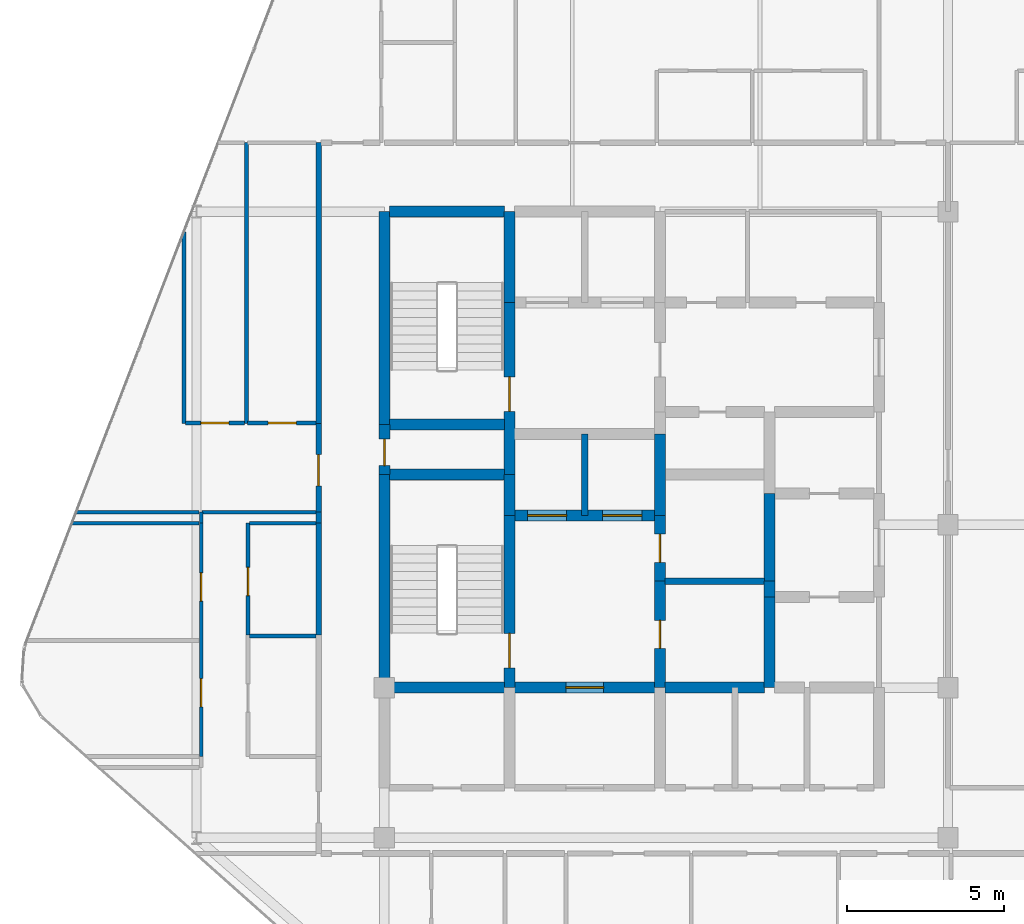
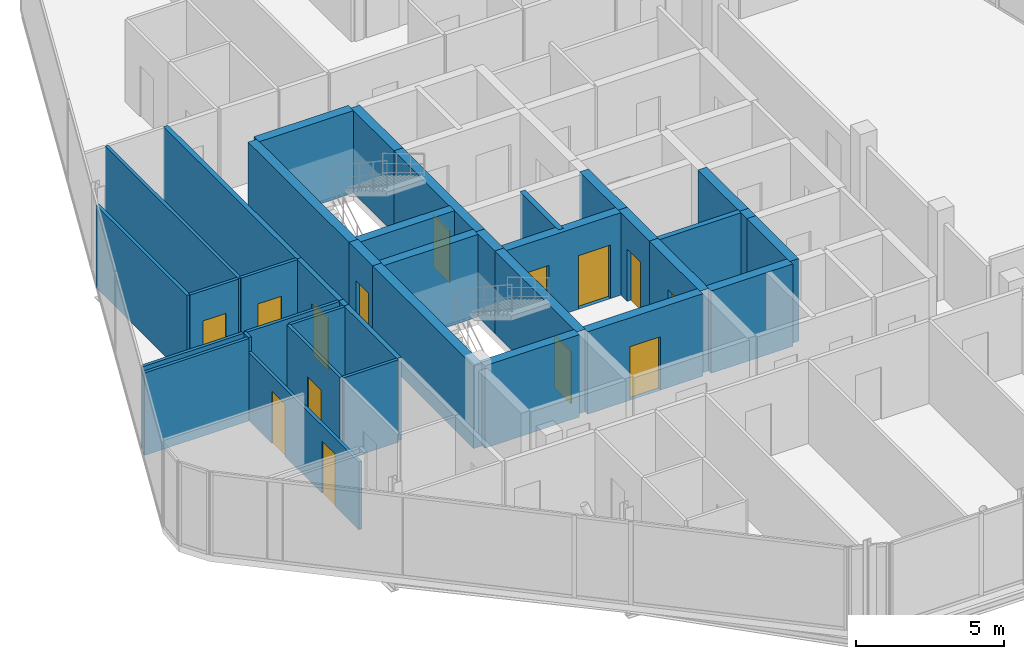
# One storey, part 23 of 27: 38 walls, 14 doors, 14 openings.
"""IFC4 building model written with IfcOpenShell, lengths in metres."""

from ifc_helpers import new_model, si_unit, direction, frame, frame_2d, origin, place, context, subcontext, project, spatial, rectangle, extrude, material, layer, layer_set, type_object, element, fill, save


model = new_model("IFC4")

# Units and contexts
model_context = context("Model", 3, precision=1e-05, world=origin(), true_north=direction((0.0, 1.0)))
body_context = subcontext(model_context, "Body", "Model", "MODEL_VIEW")
ifc_project = project(units=[si_unit("LENGTHUNIT", "METRE"), si_unit("AREAUNIT", "SQUARE_METRE"), si_unit("VOLUMEUNIT", "CUBIC_METRE"), si_unit("PLANEANGLEUNIT", "RADIAN"), si_unit("MASSUNIT", "GRAM", prefix="KILO")], contexts=[model_context])

# Site, building, storey
site_placement = place(None, origin())
site = spatial("IfcSite", under=ifc_project, at=site_placement, CompositionType="ELEMENT")
building_placement = place(site_placement, origin())
building = spatial("IfcBuilding", under=site, at=building_placement, Name="Keshet Zoharim Tower", CompositionType="ELEMENT")
storey_placement = place(building_placement, frame((0.0, 0.0, 284.300048828125)))
storey = spatial("IfcBuildingStorey", under=building, at=storey_placement, Name="L71", CompositionType="ELEMENT", Elevation=284.300048828125)

# Wall
ifc_material_1 = material(Name="Concrete C60/75", Category="concrete")
ifc_layer_1 = layer(ifc_material_1, 0.35009765625)
ifc_layer_set_1 = layer_set([ifc_layer_1], Name="Concrete C60/75")
wall_type_1 = type_object("IfcWallType", Name="WL-CORE-350", PredefinedType="SHEAR", material=ifc_layer_set_1)
wall_1_placement = place(storey_placement, frame((15.0, 22.699951171875, 0.0), z_axis=(0.0, 0.0, 1.0), x_axis=(0.0, 1.0, 0.0)))
element("IfcWall", 1, at=wall_1_placement, inside=storey, type_object=wall_type_1, Name="L71 Core Shear Wall 017", PredefinedType="SHEAR", context=body_context, shape_type="SweptSolid", body=[
    extrude(rectangle(XDim=6.800048828125, YDim=0.35009765625, at=frame_2d((3.39990234375, 0.0))), origin(), (0.0, 0.0, 1.0), 3.389892578125),
])

# Wall, opening, door
wall_2_placement = place(storey_placement, frame((15.0, 29.5, 0.0), z_axis=(0.0, 0.0, 1.0), x_axis=(0.0, 1.0, 0.0)))
wall_2 = element("IfcWall", 2, at=wall_2_placement, inside=storey, type_object=wall_type_1, Name="L71 Core Shear Wall 018", PredefinedType="SHEAR", context=body_context, shape_type="SweptSolid", body=[
    extrude(rectangle(XDim=1.60009765625, YDim=0.35009765625, at=frame_2d((0.800048828125, 0.0))), origin(), (0.0, 0.0, 1.0), 3.389892578125),
])
opening_1_placement = place(wall_2_placement, frame((0.287109375, 0.0, 0.0)))
opening_1 = element("IfcOpeningElement", 3, at=opening_1_placement, cuts=wall_2, Name="Opening D-RS85", PredefinedType="OPENING", context=body_context, shape_type="SweptSolid", body=[
    extrude(rectangle(XDim=0.85009765625, YDim=2.10009765625, at=frame_2d((0.425048828125, 1.050048828125))), frame((0.0, 0.18505859375, 0.0), z_axis=(0.0, -1.0, 0.0), x_axis=(1.0, 0.0, 0.0)), (0.0, 0.0, 1.0), 0.3701171875),
])
ifc_material_2 = material(Name="Hardwood Timber", Category="wood")
door_type_1 = type_object("IfcDoorType", Name="DR-RIS-085", OperationType="NOTDEFINED", PredefinedType="DOOR", material=ifc_material_2)
door_1_placement = place(opening_1_placement, origin())
door_1 = element("IfcDoor", 4, at=door_1_placement, inside=storey, type_object=door_type_1, Name="L71 Electrical Riser Access Cupboard Door", OperationType="SINGLE_SWING_LEFT", OverallHeight=2.10009765625, OverallWidth=0.85009765625, PredefinedType="DOOR", context=body_context, shape_type="SweptSolid", body=[
    extrude(rectangle(XDim=0.85009765625, YDim=2.10009765625, at=frame_2d((0.425048828125, 1.050048828125))), frame((0.0, 0.02490234375, 0.0), z_axis=(0.0, -1.0, 0.0), x_axis=(1.0, 0.0, 0.0)), (0.0, 0.0, 1.0), 0.050048828125),
])
fill(opening_1, door_1)

# Wall
wall_3_placement = place(storey_placement, frame((15.0, 31.10009765625, 0.0), z_axis=(0.0, 0.0, 1.0), x_axis=(0.0, 1.0, 0.0)))
element("IfcWall", 5, at=wall_3_placement, inside=storey, type_object=wall_type_1, Name="L71 Core Shear Wall 019", PredefinedType="SHEAR", context=body_context, shape_type="SweptSolid", body=[
    extrude(rectangle(XDim=6.7998046875, YDim=0.35009765625, at=frame_2d((3.39990234375, 0.0))), origin(), (0.0, 0.0, 1.0), 3.389892578125),
])

# Wall, opening, door
wall_4_placement = place(storey_placement, frame((19.0, 22.699951171875, 0.0), z_axis=(0.0, 0.0, 1.0), x_axis=(0.0, 1.0, 0.0)))
wall_4 = element("IfcWall", 6, at=wall_4_placement, inside=storey, type_object=wall_type_1, Name="L71 Core Shear Wall 027", PredefinedType="SHEAR", context=body_context, shape_type="SweptSolid", body=[
    extrude(rectangle(XDim=5.5, YDim=0.35009765625, at=frame_2d((2.75, 0.0))), origin(), (0.0, 0.0, 1.0), 3.389892578125),
])
opening_2_placement = place(wall_4_placement, frame((0.631103515625, 0.0, 0.0)))
opening_2 = element("IfcOpeningElement", 7, at=opening_2_placement, cuts=wall_4, Name="Opening D-F611", PredefinedType="OPENING", context=body_context, shape_type="SweptSolid", body=[
    extrude(rectangle(XDim=1.10009765625, YDim=2.14990234375, at=frame_2d((0.550048828125, 1.074951171875))), frame((0.0, 0.18505859375, 0.0), z_axis=(0.0, -1.0, 0.0), x_axis=(1.0, 0.0, 0.0)), (0.0, 0.0, 1.0), 0.3701171875),
])
door_type_2 = type_object("IfcDoorType", Name="DR-FD60-110", OperationType="NOTDEFINED", PredefinedType="DOOR", material=ifc_material_2)
door_2_placement = place(opening_2_placement, origin())
door_2 = element("IfcDoor", 8, at=door_2_placement, inside=storey, type_object=door_type_2, Name="L71 Exit Stair ST-01 Fire Door", OperationType="SINGLE_SWING_RIGHT", OverallHeight=2.14990234375, OverallWidth=1.10009765625, PredefinedType="DOOR", context=body_context, shape_type="SweptSolid", body=[
    extrude(rectangle(XDim=1.10009765625, YDim=2.14990234375, at=frame_2d((0.550048828125, 1.074951171875))), frame((0.0, 0.02490234375, 0.0), z_axis=(0.0, -1.0, 0.0), x_axis=(1.0, 0.0, 0.0)), (0.0, 0.0, 1.0), 0.050048828125),
])
fill(opening_2, door_2)

# Wall
wall_5_placement = place(storey_placement, frame((19.0, 28.199951171875, 0.0), z_axis=(0.0, 0.0, 1.0), x_axis=(0.0, 1.0, 0.0)))
element("IfcWall", 9, at=wall_5_placement, inside=storey, type_object=wall_type_1, Name="L71 Core Shear Wall 028", PredefinedType="SHEAR", context=body_context, shape_type="SweptSolid", body=[
    extrude(rectangle(XDim=1.300048828125, YDim=0.35009765625, at=frame_2d((0.64990234375, 0.0))), origin(), (0.0, 0.0, 1.0), 3.389892578125),
])

# Wall, opening, door
wall_6_placement = place(storey_placement, frame((19.0, 29.5, 0.0), z_axis=(0.0, 0.0, 1.0), x_axis=(0.0, 1.0, 0.0)))
wall_6 = element("IfcWall", 10, at=wall_6_placement, inside=storey, type_object=wall_type_1, Name="L71 Core Shear Wall 029", PredefinedType="SHEAR", context=body_context, shape_type="SweptSolid", body=[
    extrude(rectangle(XDim=5.5, YDim=0.35009765625, at=frame_2d((2.75, 0.0))), origin(), (0.0, 0.0, 1.0), 3.389892578125),
])
opening_3_placement = place(wall_6_placement, frame((2.02490234375, 0.0, 0.0)))
opening_3 = element("IfcOpeningElement", 11, at=opening_3_placement, cuts=wall_6, Name="Opening D-F611", PredefinedType="OPENING", context=body_context, shape_type="SweptSolid", body=[
    extrude(rectangle(XDim=1.10009765625, YDim=2.14990234375, at=frame_2d((0.550048828125, 1.074951171875))), frame((0.0, 0.18505859375, 0.0), z_axis=(0.0, -1.0, 0.0), x_axis=(1.0, 0.0, 0.0)), (0.0, 0.0, 1.0), 0.3701171875),
])
door_3_placement = place(opening_3_placement, origin())
door_3 = element("IfcDoor", 12, at=door_3_placement, inside=storey, type_object=door_type_2, Name="L71 Exit Stair ST-02 Fire Door", OperationType="SINGLE_SWING_LEFT", OverallHeight=2.14990234375, OverallWidth=1.10009765625, PredefinedType="DOOR", context=body_context, shape_type="SweptSolid", body=[
    extrude(rectangle(XDim=1.10009765625, YDim=2.14990234375, at=frame_2d((0.550048828125, 1.074951171875))), frame((0.0, 0.02490234375, 0.0), z_axis=(0.0, -1.0, 0.0), x_axis=(1.0, 0.0, 0.0)), (0.0, 0.0, 1.0), 0.050048828125),
])
fill(opening_3, door_3)

# Wall
wall_7_placement = place(storey_placement, frame((19.0, 35.0, 0.0), z_axis=(0.0, 0.0, 1.0), x_axis=(0.0, 1.0, 0.0)))
element("IfcWall", 13, at=wall_7_placement, inside=storey, type_object=wall_type_1, Name="L71 Core Shear Wall 030", PredefinedType="SHEAR", context=body_context, shape_type="SweptSolid", body=[
    extrude(rectangle(XDim=2.89990234375, YDim=0.35009765625, at=frame_2d((1.449951171875, 0.0))), origin(), (0.0, 0.0, 1.0), 3.389892578125),
])

# Wall, opening, door
wall_8_placement = place(storey_placement, frame((23.800048828125, 22.699951171875, 0.0), z_axis=(0.0, 0.0, 1.0), x_axis=(0.0, 1.0, 0.0)))
wall_8 = element("IfcWall", 14, at=wall_8_placement, inside=storey, type_object=wall_type_1, Name="L71 Core Shear Wall 039", PredefinedType="SHEAR", context=body_context, shape_type="SweptSolid", body=[
    extrude(rectangle(XDim=3.400146484375, YDim=0.35009765625, at=frame_2d((1.7001953125, 0.0))), origin(), (0.0, 0.0, 1.0), 3.389892578125),
])
opening_4_placement = place(wall_8_placement, frame((1.25, 0.0, 0.0)))
opening_4 = element("IfcOpeningElement", 15, at=opening_4_placement, cuts=wall_8, Name="Opening D-F690", PredefinedType="OPENING", context=body_context, shape_type="SweptSolid", body=[
    extrude(rectangle(XDim=0.89990234375, YDim=2.14990234375, at=frame_2d((0.449951171875, 1.074951171875))), frame((0.0, 0.18505859375, 0.0), z_axis=(0.0, -1.0, 0.0), x_axis=(1.0, 0.0, 0.0)), (0.0, 0.0, 1.0), 0.3701171875),
])
door_type_3 = type_object("IfcDoorType", Name="DR-FD60-090", OperationType="NOTDEFINED", PredefinedType="DOOR", material=ifc_material_2)
door_4_placement = place(opening_4_placement, origin())
door_4 = element("IfcDoor", 16, at=door_4_placement, inside=storey, type_object=door_type_3, Name="L71 Core Linen Store Door", OperationType="SINGLE_SWING_RIGHT", OverallHeight=2.14990234375, OverallWidth=0.89990234375, PredefinedType="DOOR", context=body_context, shape_type="SweptSolid", body=[
    extrude(rectangle(XDim=0.89990234375, YDim=2.14990234375, at=frame_2d((0.449951171875, 1.074951171875))), frame((0.0, 0.02490234375, 0.0), z_axis=(0.0, -1.0, 0.0), x_axis=(1.0, 0.0, 0.0)), (0.0, 0.0, 1.0), 0.050048828125),
])
fill(opening_4, door_4)

wall_9_placement = place(storey_placement, frame((23.800048828125, 26.10009765625, 0.0), z_axis=(0.0, 0.0, 1.0), x_axis=(0.0, 1.0, 0.0)))
wall_9 = element("IfcWall", 17, at=wall_9_placement, inside=storey, type_object=wall_type_1, Name="L71 Core Shear Wall 040", PredefinedType="SHEAR", context=body_context, shape_type="SweptSolid", body=[
    extrude(rectangle(XDim=2.099853515625, YDim=0.35009765625, at=frame_2d((1.0498046875, 0.0))), origin(), (0.0, 0.0, 1.0), 3.389892578125),
])
opening_5_placement = place(wall_9_placement, frame((0.60009765625, 0.0, 0.0)))
opening_5 = element("IfcOpeningElement", 18, at=opening_5_placement, cuts=wall_9, Name="Opening D-F690", PredefinedType="OPENING", context=body_context, shape_type="SweptSolid", body=[
    extrude(rectangle(XDim=0.89990234375, YDim=2.14990234375, at=frame_2d((0.449951171875, 1.074951171875))), frame((0.0, 0.18505859375, 0.0), z_axis=(0.0, -1.0, 0.0), x_axis=(1.0, 0.0, 0.0)), (0.0, 0.0, 1.0), 0.3701171875),
])
door_5_placement = place(opening_5_placement, origin())
door_5 = element("IfcDoor", 19, at=door_5_placement, inside=storey, type_object=door_type_3, Name="L71 Core Electrical Room Door", OperationType="SINGLE_SWING_LEFT", OverallHeight=2.14990234375, OverallWidth=0.89990234375, PredefinedType="DOOR", context=body_context, shape_type="SweptSolid", body=[
    extrude(rectangle(XDim=0.89990234375, YDim=2.14990234375, at=frame_2d((0.449951171875, 1.074951171875))), frame((0.0, 0.02490234375, 0.0), z_axis=(0.0, -1.0, 0.0), x_axis=(1.0, 0.0, 0.0)), (0.0, 0.0, 1.0), 0.050048828125),
])
fill(opening_5, door_5)

# Walls
wall_10_placement = place(storey_placement, frame((23.800048828125, 28.199951171875, 0.0), z_axis=(0.0, 0.0, 1.0), x_axis=(0.0, 1.0, 0.0)))
element("IfcWall", 20, at=wall_10_placement, inside=storey, type_object=wall_type_1, Name="L71 Core Shear Wall 041", PredefinedType="SHEAR", context=body_context, shape_type="SweptSolid", body=[
    extrude(rectangle(XDim=2.60009765625, YDim=0.35009765625, at=frame_2d((1.300048828125, 0.0))), origin(), (0.0, 0.0, 1.0), 3.389892578125),
])
wall_11_placement = place(storey_placement, frame((27.300048828125, 22.699951171875, 0.0), z_axis=(0.0, 0.0, 1.0), x_axis=(0.0, 1.0, 0.0)))
element("IfcWall", 21, at=wall_11_placement, inside=storey, type_object=wall_type_1, Name="L71 Core Shear Wall 050", PredefinedType="SHEAR", context=body_context, shape_type="SweptSolid", body=[
    extrude(rectangle(XDim=2.900146484375, YDim=0.35009765625, at=frame_2d((1.4501953125, 0.0))), origin(), (0.0, 0.0, 1.0), 3.389892578125),
])
wall_12_placement = place(storey_placement, frame((27.300048828125, 25.60009765625, 0.0), z_axis=(0.0, 0.0, 1.0), x_axis=(0.0, 1.0, 0.0)))
element("IfcWall", 22, at=wall_12_placement, inside=storey, type_object=wall_type_1, Name="L71 Core Shear Wall 051", PredefinedType="SHEAR", context=body_context, shape_type="SweptSolid", body=[
    extrude(rectangle(XDim=0.5, YDim=0.35009765625, at=frame_2d((0.25, 0.0))), origin(), (0.0, 0.0, 1.0), 3.389892578125),
])
wall_13_placement = place(storey_placement, frame((27.300048828125, 26.10009765625, 0.0), z_axis=(0.0, 0.0, 1.0), x_axis=(0.0, 1.0, 0.0)))
element("IfcWall", 23, at=wall_13_placement, inside=storey, type_object=wall_type_1, Name="L71 Core Shear Wall 052", PredefinedType="SHEAR", context=body_context, shape_type="SweptSolid", body=[
    extrude(rectangle(XDim=2.7998046875, YDim=0.35009765625, at=frame_2d((1.39990234375, 0.0))), origin(), (0.0, 0.0, 1.0), 3.389892578125),
])
wall_14_placement = place(storey_placement, frame((15.159912109375, 22.699951171875, 0.0), z_axis=(0.0, 0.0, 1.0), x_axis=(1.0, 0.0, 0.0)))
element("IfcWall", 24, at=wall_14_placement, inside=storey, type_object=wall_type_1, Name="L71 Core Shear Wall 107", PredefinedType="SHEAR", context=body_context, shape_type="SweptSolid", body=[
    extrude(rectangle(XDim=3.68017578125, YDim=0.35009765625, at=frame_2d((1.840087890625, 0.0))), origin(), (0.0, 0.0, 1.0), 3.389892578125),
])

# Wall, opening, door
wall_15_placement = place(storey_placement, frame((19.159912109375, 22.699951171875, 0.0), z_axis=(0.0, 0.0, 1.0), x_axis=(1.0, 0.0, 0.0)))
wall_15 = element("IfcWall", 25, at=wall_15_placement, inside=storey, type_object=wall_type_1, Name="L71 Core Shear Wall 108", PredefinedType="SHEAR", context=body_context, shape_type="SweptSolid", body=[
    extrude(rectangle(XDim=4.47998046875, YDim=0.35009765625, at=frame_2d((2.239990234375, 0.0))), origin(), (0.0, 0.0, 1.0), 3.389892578125),
])
opening_6_placement = place(wall_15_placement, frame((1.639892578125, 0.0, 0.0)))
opening_6 = element("IfcOpeningElement", 26, at=opening_6_placement, cuts=wall_15, Name="Opening D-F612", PredefinedType="OPENING", context=body_context, shape_type="SweptSolid", body=[
    extrude(rectangle(XDim=1.199951171875, YDim=2.199951171875, at=frame_2d((0.60009765625, 1.10009765625))), frame((0.0, 0.18505859375, 0.0), z_axis=(0.0, -1.0, 0.0), x_axis=(1.0, 0.0, 0.0)), (0.0, 0.0, 1.0), 0.3701171875),
])
door_type_4 = type_object("IfcDoorType", Name="DR-FD60-120", OperationType="NOTDEFINED", PredefinedType="DOOR", material=ifc_material_2)
door_6_placement = place(opening_6_placement, origin())
door_6 = element("IfcDoor", 27, at=door_6_placement, inside=storey, type_object=door_type_4, Name="L71 South Core Lobby Fire Door", OperationType="SINGLE_SWING_LEFT", OverallHeight=2.199951171875, OverallWidth=1.199951171875, PredefinedType="DOOR", context=body_context, shape_type="SweptSolid", body=[
    extrude(rectangle(XDim=1.199951171875, YDim=2.199951171875, at=frame_2d((0.60009765625, 1.10009765625))), frame((0.0, 0.02490234375, 0.0), z_axis=(0.0, -1.0, 0.0), x_axis=(1.0, 0.0, 0.0)), (0.0, 0.0, 1.0), 0.050048828125),
])
fill(opening_6, door_6)

# Wall
wall_16_placement = place(storey_placement, frame((23.9599609375, 22.699951171875, 0.0), z_axis=(0.0, 0.0, 1.0), x_axis=(1.0, 0.0, 0.0)))
element("IfcWall", 28, at=wall_16_placement, inside=storey, type_object=wall_type_1, Name="L71 Core Shear Wall 109", PredefinedType="SHEAR", context=body_context, shape_type="SweptSolid", body=[
    extrude(rectangle(XDim=3.179931640625, YDim=0.35009765625, at=frame_2d((1.58984375, 0.0))), origin(), (0.0, 0.0, 1.0), 3.389892578125),
])

# Wall, openings, doors
wall_17_placement = place(storey_placement, frame((19.159912109375, 28.199951171875, 0.0), z_axis=(0.0, 0.0, 1.0), x_axis=(1.0, 0.0, 0.0)))
wall_17 = element("IfcWall", 29, at=wall_17_placement, inside=storey, type_object=wall_type_1, Name="L71 Core Shear Wall 118", PredefinedType="SHEAR", context=body_context, shape_type="SweptSolid", body=[
    extrude(rectangle(XDim=4.47998046875, YDim=0.35009765625, at=frame_2d((2.239990234375, 0.0))), origin(), (0.0, 0.0, 1.0), 3.389892578125),
])
opening_7_placement = place(wall_17_placement, frame((0.4150390625, 0.0, 0.0)))
opening_7 = element("IfcOpeningElement", 30, at=opening_7_placement, cuts=wall_17, Name="Opening LD-01", PredefinedType="OPENING", context=body_context, shape_type="SweptSolid", body=[
    extrude(rectangle(XDim=1.25, YDim=2.199951171875, at=frame_2d((0.625, 1.10009765625))), frame((0.0, 0.18505859375, 0.0), z_axis=(0.0, -1.0, 0.0), x_axis=(1.0, 0.0, 0.0)), (0.0, 0.0, 1.0), 0.3701171875),
])
opening_8_placement = place(wall_17_placement, frame((2.81494140625, 0.0, 0.0)))
opening_8 = element("IfcOpeningElement", 31, at=opening_8_placement, cuts=wall_17, Name="Opening LD-01", PredefinedType="OPENING", context=body_context, shape_type="SweptSolid", body=[
    extrude(rectangle(XDim=1.25, YDim=2.199951171875, at=frame_2d((0.625, 1.10009765625))), frame((0.0, 0.18505859375, 0.0), z_axis=(0.0, -1.0, 0.0), x_axis=(1.0, 0.0, 0.0)), (0.0, 0.0, 1.0), 0.3701171875),
])
ifc_material_3 = material(Name="Steel S355", Category="steel")
door_type_5 = type_object("IfcDoorType", Name="DR-LD01-125", OperationType="DOUBLE_DOOR_SLIDING", PredefinedType="DOOR", material=ifc_material_3)
door_7_placement = place(opening_7_placement, origin())
door_7 = element("IfcDoor", 32, at=door_7_placement, inside=storey, type_object=door_type_5, Name="L71 Passenger Lift Landing Door LF-09", OperationType="DOUBLE_DOOR_SLIDING", OverallHeight=2.199951171875, OverallWidth=1.25, PredefinedType="DOOR", context=body_context, shape_type="SweptSolid", body=[
    extrude(rectangle(XDim=1.25, YDim=2.199951171875, at=frame_2d((0.625, 1.10009765625))), frame((0.0, 0.02490234375, 0.0), z_axis=(0.0, -1.0, 0.0), x_axis=(1.0, 0.0, 0.0)), (0.0, 0.0, 1.0), 0.050048828125),
])
fill(opening_7, door_7)
door_8_placement = place(opening_8_placement, origin())
door_8 = element("IfcDoor", 33, at=door_8_placement, inside=storey, type_object=door_type_5, Name="L71 Passenger Lift Landing Door LF-10", OperationType="DOUBLE_DOOR_SLIDING", OverallHeight=2.199951171875, OverallWidth=1.25, PredefinedType="DOOR", context=body_context, shape_type="SweptSolid", body=[
    extrude(rectangle(XDim=1.25, YDim=2.199951171875, at=frame_2d((0.625, 1.10009765625))), frame((0.0, 0.02490234375, 0.0), z_axis=(0.0, -1.0, 0.0), x_axis=(1.0, 0.0, 0.0)), (0.0, 0.0, 1.0), 0.050048828125),
])
fill(opening_8, door_8)

# Walls
for number, where, z_axis, x_axis, name in (
    (34, (15.159912109375, 29.5, 0.0), (0.0, 0.0, 1.0), (1.0, 0.0, 0.0), "L71 Core Shear Wall 122"),
    (35, (15.159912109375, 31.10009765625, 0.0), (0.0, 0.0, 1.0), (1.0, 0.0, 0.0), "L71 Core Shear Wall 125"),
    (36, (15.159912109375, 37.89990234375, 0.0), (0.0, 0.0, 1.0), (1.0, 0.0, 0.0), "L71 Core Shear Wall 133"),
):
    element("IfcWall", number, at=place(storey_placement, frame(where, z_axis=z_axis, x_axis=x_axis)), inside=storey, type_object=wall_type_1, Name=name, PredefinedType="SHEAR", context=body_context, shape_type="SweptSolid", body=[
        extrude(rectangle(XDim=3.68017578125, YDim=0.35009765625, at=frame_2d((1.840087890625, 0.0))), origin(), (0.0, 0.0, 1.0), 3.389892578125),
    ])
ifc_material_4 = material(Name="Gypsum Plasterboard", Category="gypsum")
ifc_layer_2 = layer(ifc_material_4, 0.179931640625)
ifc_layer_set_2 = layer_set([ifc_layer_2], Name="Gypsum Plasterboard")
wall_type_2 = type_object("IfcWallType", Name="WL-CORR-180", PredefinedType="STANDARD", material=ifc_layer_set_2)
wall_18_placement = place(storey_placement, frame((12.89990234375, 24.3740234375, 0.0), z_axis=(0.0, 0.0, 1.0), x_axis=(0.0, 1.0, 0.0)))
element("IfcWall", 37, at=wall_18_placement, inside=storey, type_object=wall_type_2, Name="L71 Interior Wall 010", PredefinedType="STANDARD", context=body_context, shape_type="SweptSolid", body=[
    extrude(rectangle(XDim=3.575927734375, YDim=0.179931640625, at=frame_2d((1.7880859375, 0.0))), origin(), (0.0, 0.0, 1.0), 3.389892578125),
])
wall_19_placement = place(storey_placement, frame((12.89990234375, 27.949951171875, 0.0), z_axis=(0.0, 0.0, 1.0), x_axis=(0.0, 1.0, 0.0)))
element("IfcWall", 38, at=wall_19_placement, inside=storey, type_object=wall_type_2, Name="L71 Interior Wall 011", PredefinedType="STANDARD", context=body_context, shape_type="SweptSolid", body=[
    extrude(rectangle(XDim=0.35009765625, YDim=0.179931640625, at=frame_2d((0.175048828125, 0.0))), origin(), (0.0, 0.0, 1.0), 3.389892578125),
])

# Wall, opening, door
wall_20_placement = place(storey_placement, frame((12.89990234375, 28.300048828125, 0.0), z_axis=(0.0, 0.0, 1.0), x_axis=(0.0, 1.0, 0.0)))
wall_20 = element("IfcWall", 39, at=wall_20_placement, inside=storey, type_object=wall_type_2, Name="L71 Interior Wall 012", PredefinedType="STANDARD", context=body_context, shape_type="SweptSolid", body=[
    extrude(rectangle(XDim=2.829833984375, YDim=0.179931640625, at=frame_2d((1.4150390625, 0.0))), origin(), (0.0, 0.0, 1.0), 3.389892578125),
])
opening_9_placement = place(wall_20_placement, frame((0.842041015625, 0.0, 0.0)))
opening_9 = element("IfcOpeningElement", 40, at=opening_9_placement, cuts=wall_20, Name="Opening D-F310", PredefinedType="OPENING", context=body_context, shape_type="SweptSolid", body=[
    extrude(rectangle(XDim=1.0, YDim=2.14990234375, at=frame_2d((0.5, 1.074951171875))), frame((0.0, 0.10009765625, 0.0), z_axis=(0.0, -1.0, 0.0), x_axis=(1.0, 0.0, 0.0)), (0.0, 0.0, 1.0), 0.199951171875),
])
door_type_6 = type_object("IfcDoorType", Name="DR-FD30-100", OperationType="NOTDEFINED", PredefinedType="DOOR", material=ifc_material_2)
door_9_placement = place(opening_9_placement, origin())
door_9 = element("IfcDoor", 41, at=door_9_placement, inside=storey, type_object=door_type_6, Name="Apartment 7108 Entrance Door", OperationType="SINGLE_SWING_RIGHT", OverallHeight=2.14990234375, OverallWidth=1.0, PredefinedType="DOOR", context=body_context, shape_type="SweptSolid", body=[
    extrude(rectangle(XDim=1.0, YDim=2.14990234375, at=frame_2d((0.5, 1.074951171875))), frame((0.0, 0.02490234375, 0.0), z_axis=(0.0, -1.0, 0.0), x_axis=(1.0, 0.0, 0.0)), (0.0, 0.0, 1.0), 0.050048828125),
])
fill(opening_9, door_9)

# Walls
wall_21_placement = place(storey_placement, frame((12.89990234375, 31.1298828125, 0.0), z_axis=(0.0, 0.0, 1.0), x_axis=(0.0, 1.0, 0.0)))
element("IfcWall", 42, at=wall_21_placement, inside=storey, type_object=wall_type_2, Name="L71 Interior Wall 013", PredefinedType="STANDARD", context=body_context, shape_type="SweptSolid", body=[
    extrude(rectangle(XDim=8.97021484375, YDim=0.179931640625, at=frame_2d((4.485107421875, 0.0))), origin(), (0.0, 0.0, 1.0), 3.389892578125),
])
ifc_material_5 = material(Name="Concrete C50/60", Category="concrete")
ifc_layer_3 = layer(ifc_material_5, 0.199951171875)
ifc_layer_set_3 = layer_set([ifc_layer_3], Name="Concrete C50/60")
wall_type_3 = type_object("IfcWallType", Name="WL-FIRE-200", PredefinedType="STANDARD", material=ifc_layer_set_3)
wall_22_placement = place(storey_placement, frame((21.39990234375, 28.199951171875, 0.0), z_axis=(0.0, 0.0, 1.0), x_axis=(0.0, 1.0, 0.0)))
element("IfcWall", 43, at=wall_22_placement, inside=storey, type_object=wall_type_3, Name="L71 Interior Wall 033", PredefinedType="STANDARD", context=body_context, shape_type="SweptSolid", body=[
    extrude(rectangle(XDim=2.60009765625, YDim=0.199951171875, at=frame_2d((1.300048828125, 0.0))), origin(), (0.0, 0.0, 1.0), 3.389892578125),
])
wall_23_placement = place(storey_placement, frame((23.9599609375, 26.10009765625, 0.0), z_axis=(0.0, 0.0, 1.0), x_axis=(1.0, 0.0, 0.0)))
element("IfcWall", 44, at=wall_23_placement, inside=storey, type_object=wall_type_3, Name="L71 Interior Wall 115", PredefinedType="STANDARD", context=body_context, shape_type="SweptSolid", body=[
    extrude(rectangle(XDim=3.179931640625, YDim=0.199951171875, at=frame_2d((1.58984375, 0.0))), origin(), (0.0, 0.0, 1.0), 3.389892578125),
])
ifc_layer_4 = layer(ifc_material_4, 0.1201171875)
ifc_layer_set_4 = layer_set([ifc_layer_4], Name="Gypsum Plasterboard")
wall_type_4 = type_object("IfcWallType", Name="WL-PART-120", PredefinedType="PARTITIONING", material=ifc_layer_set_4)
wall_24_placement = place(storey_placement, frame((8.60009765625, 31.1298828125, 0.0), z_axis=(0.0, 0.0, 1.0), x_axis=(0.0, 1.0, 0.0)))
element("IfcWall", 45, at=wall_24_placement, inside=storey, type_object=wall_type_4, Name="L71 Interior Wall 001", PredefinedType="PARTITIONING", context=body_context, shape_type="SweptSolid", body=[
    extrude(rectangle(XDim=6.1201171875, YDim=0.1201171875, at=frame_2d((3.06005859375, 0.0))), origin(), (0.0, 0.0, 1.0), 3.389892578125),
])

# Wall, openings, doors
wall_25_placement = place(storey_placement, frame((9.14990234375, 20.5, 0.0), z_axis=(0.0, 0.0, 1.0), x_axis=(0.0, 1.0, 0.0)))
wall_25 = element("IfcWall", 46, at=wall_25_placement, inside=storey, type_object=wall_type_4, Name="L71 Interior Wall 003", PredefinedType="PARTITIONING", context=body_context, shape_type="SweptSolid", body=[
    extrude(rectangle(XDim=7.449951171875, YDim=0.1201171875, at=frame_2d((3.72509765625, 0.0))), origin(), (0.0, 0.0, 1.0), 2.7900390625),
])
opening_10_placement = place(wall_25_placement, frame((1.587890625, 0.0, 0.0)))
opening_10 = element("IfcOpeningElement", 47, at=opening_10_placement, cuts=wall_25, Name="Opening D-IN90", PredefinedType="OPENING", context=body_context, shape_type="SweptSolid", body=[
    extrude(rectangle(XDim=0.89990234375, YDim=2.14990234375, at=frame_2d((0.449951171875, 1.074951171875))), frame((0.0, 0.070068359375, 0.0), z_axis=(0.0, -1.0, 0.0), x_axis=(1.0, 0.0, 0.0)), (0.0, 0.0, 1.0), 0.14013671875),
])
opening_11_placement = place(wall_25_placement, frame((4.962890625, 0.0, 0.0)))
opening_11 = element("IfcOpeningElement", 48, at=opening_11_placement, cuts=wall_25, Name="Opening D-IN90", PredefinedType="OPENING", context=body_context, shape_type="SweptSolid", body=[
    extrude(rectangle(XDim=0.89990234375, YDim=2.14990234375, at=frame_2d((0.449951171875, 1.074951171875))), frame((0.0, 0.070068359375, 0.0), z_axis=(0.0, -1.0, 0.0), x_axis=(1.0, 0.0, 0.0)), (0.0, 0.0, 1.0), 0.14013671875),
])
door_type_7 = type_object("IfcDoorType", Name="DR-INT-090", OperationType="NOTDEFINED", PredefinedType="DOOR", material=ifc_material_2)
door_10_placement = place(opening_10_placement, origin())
door_10 = element("IfcDoor", 49, at=door_10_placement, inside=storey, type_object=door_type_7, Name="Apartment 7107 Bedroom 1 Door", OperationType="SINGLE_SWING_LEFT", OverallHeight=2.14990234375, OverallWidth=0.89990234375, PredefinedType="DOOR", context=body_context, shape_type="SweptSolid", body=[
    extrude(rectangle(XDim=0.89990234375, YDim=2.14990234375, at=frame_2d((0.449951171875, 1.074951171875))), frame((0.0, 0.02490234375, 0.0), z_axis=(0.0, -1.0, 0.0), x_axis=(1.0, 0.0, 0.0)), (0.0, 0.0, 1.0), 0.050048828125),
])
fill(opening_10, door_10)
door_11_placement = place(opening_11_placement, origin())
door_11 = element("IfcDoor", 50, at=door_11_placement, inside=storey, type_object=door_type_7, Name="Apartment 7107 Bedroom 2 Door", OperationType="SINGLE_SWING_RIGHT", OverallHeight=2.14990234375, OverallWidth=0.89990234375, PredefinedType="DOOR", context=body_context, shape_type="SweptSolid", body=[
    extrude(rectangle(XDim=0.89990234375, YDim=2.14990234375, at=frame_2d((0.449951171875, 1.074951171875))), frame((0.0, 0.02490234375, 0.0), z_axis=(0.0, -1.0, 0.0), x_axis=(1.0, 0.0, 0.0)), (0.0, 0.0, 1.0), 0.050048828125),
])
fill(opening_11, door_11)

# Walls
wall_26_placement = place(storey_placement, frame((9.14990234375, 27.949951171875, 0.0), z_axis=(0.0, 0.0, 1.0), x_axis=(0.0, 1.0, 0.0)))
element("IfcWall", 51, at=wall_26_placement, inside=storey, type_object=wall_type_4, Name="L71 Interior Wall 004", PredefinedType="PARTITIONING", context=body_context, shape_type="SweptSolid", body=[
    extrude(rectangle(XDim=0.35009765625, YDim=0.1201171875, at=frame_2d((0.175048828125, 0.0))), origin(), (0.0, 0.0, 1.0), 3.389892578125),
])
wall_27_placement = place(storey_placement, frame((5.029052734375, 27.949951171875, 0.0), z_axis=(0.0, 0.0, 1.0), x_axis=(1.0, 0.0, 0.0)))
element("IfcWall", 52, at=wall_27_placement, inside=storey, type_object=wall_type_4, Name="L71 Interior Wall 116", PredefinedType="PARTITIONING", context=body_context, shape_type="SweptSolid", body=[
    extrude(rectangle(XDim=4.055908203125, YDim=0.1201171875, at=frame_2d((2.02783203125, 0.0))), origin(), (0.0, 0.0, 1.0), 3.389892578125),
])
wall_28_placement = place(storey_placement, frame((5.1640625, 28.300048828125, 0.0), z_axis=(0.0, 0.0, 1.0), x_axis=(1.0, 0.0, 0.0)))
element("IfcWall", 53, at=wall_28_placement, inside=storey, type_object=wall_type_4, Name="L71 Interior Wall 119", PredefinedType="PARTITIONING", context=body_context, shape_type="SweptSolid", body=[
    extrude(rectangle(XDim=3.9208984375, YDim=0.1201171875, at=frame_2d((1.96044921875, 0.0))), origin(), (0.0, 0.0, 1.0), 3.389892578125),
])
wall_29_placement = place(storey_placement, frame((9.175048828125, 28.300048828125, 0.0), z_axis=(0.0, 0.0, 1.0), x_axis=(1.0, 0.0, 0.0)))
element("IfcWall", 54, at=wall_29_placement, inside=storey, type_object=wall_type_4, Name="L71 Interior Wall 120", PredefinedType="PARTITIONING", context=body_context, shape_type="SweptSolid", body=[
    extrude(rectangle(XDim=3.64990234375, YDim=0.1201171875, at=frame_2d((1.824951171875, 0.0))), origin(), (0.0, 0.0, 1.0), 3.389892578125),
])

# Wall, opening, door
wall_30_placement = place(storey_placement, frame((8.64501953125, 31.14990234375, 0.0), z_axis=(0.0, 0.0, 1.0), x_axis=(1.0, 0.0, 0.0)))
wall_30 = element("IfcWall", 55, at=wall_30_placement, inside=storey, type_object=wall_type_4, Name="L71 Interior Wall 126", PredefinedType="PARTITIONING", context=body_context, shape_type="SweptSolid", body=[
    extrude(rectangle(XDim=1.887939453125, YDim=0.1201171875, at=frame_2d((0.94384765625, 0.0))), origin(), (0.0, 0.0, 1.0), 3.389892578125),
])
opening_12_placement = place(wall_30_placement, frame((0.493896484375, 0.0, 0.0)))
opening_12 = element("IfcOpeningElement", 56, at=opening_12_placement, cuts=wall_30, Name="Opening D-IN90", PredefinedType="OPENING", context=body_context, shape_type="SweptSolid", body=[
    extrude(rectangle(XDim=0.89990234375, YDim=2.14990234375, at=frame_2d((0.449951171875, 1.074951171875))), frame((0.0, 0.070068359375, 0.0), z_axis=(0.0, -1.0, 0.0), x_axis=(1.0, 0.0, 0.0)), (0.0, 0.0, 1.0), 0.14013671875),
])
door_12_placement = place(opening_12_placement, origin())
door_12 = element("IfcDoor", 57, at=door_12_placement, inside=storey, type_object=door_type_7, Name="Apartment 7108 Kitchen Door", OperationType="SINGLE_SWING_RIGHT", OverallHeight=2.14990234375, OverallWidth=0.89990234375, PredefinedType="DOOR", context=body_context, shape_type="SweptSolid", body=[
    extrude(rectangle(XDim=0.89990234375, YDim=2.14990234375, at=frame_2d((0.449951171875, 1.074951171875))), frame((0.0, 0.02490234375, 0.0), z_axis=(0.0, -1.0, 0.0), x_axis=(1.0, 0.0, 0.0)), (0.0, 0.0, 1.0), 0.050048828125),
])
fill(opening_12, door_12)

# Wall
ifc_layer_5 = layer(ifc_material_4, 0.1201171875)
ifc_layer_set_5 = layer_set([ifc_layer_5], Name="Gypsum Plasterboard")
wall_type_5 = type_object("IfcWallType", Name="WL-WET-120", PredefinedType="PARTITIONING", material=ifc_layer_set_5)
wall_31_placement = place(storey_placement, frame((10.60009765625, 31.1298828125, 0.0), z_axis=(0.0, 0.0, 1.0), x_axis=(0.0, 1.0, 0.0)))
element("IfcWall", 58, at=wall_31_placement, inside=storey, type_object=wall_type_5, Name="L71 Interior Wall 005", PredefinedType="PARTITIONING", context=body_context, shape_type="SweptSolid", body=[
    extrude(rectangle(XDim=8.97021484375, YDim=0.1201171875, at=frame_2d((4.485107421875, 0.0))), origin(), (0.0, 0.0, 1.0), 3.389892578125),
])

# Wall, opening, door
wall_32_placement = place(storey_placement, frame((10.64990234375, 24.3740234375, 0.0), z_axis=(0.0, 0.0, 1.0), x_axis=(0.0, 1.0, 0.0)))
wall_32 = element("IfcWall", 59, at=wall_32_placement, inside=storey, type_object=wall_type_5, Name="L71 Interior Wall 007", PredefinedType="PARTITIONING", context=body_context, shape_type="SweptSolid", body=[
    extrude(rectangle(XDim=3.575927734375, YDim=0.1201171875, at=frame_2d((1.7880859375, 0.0))), origin(), (0.0, 0.0, 1.0), 3.389892578125),
])
opening_13_placement = place(wall_32_placement, frame((1.26611328125, 0.0, 0.0)))
opening_13 = element("IfcOpeningElement", 60, at=opening_13_placement, cuts=wall_32, Name="Opening D-WT90", PredefinedType="OPENING", context=body_context, shape_type="SweptSolid", body=[
    extrude(rectangle(XDim=0.89990234375, YDim=2.10009765625, at=frame_2d((0.449951171875, 1.050048828125))), frame((0.0, 0.070068359375, 0.0), z_axis=(0.0, -1.0, 0.0), x_axis=(1.0, 0.0, 0.0)), (0.0, 0.0, 1.0), 0.14013671875),
])
door_type_8 = type_object("IfcDoorType", Name="DR-WET-090", OperationType="NOTDEFINED", PredefinedType="DOOR", material=ifc_material_2)
door_13_placement = place(opening_13_placement, origin())
door_13 = element("IfcDoor", 61, at=door_13_placement, inside=storey, type_object=door_type_8, Name="Apartment 7107 Bathroom Door", OperationType="SINGLE_SWING_RIGHT", OverallHeight=2.10009765625, OverallWidth=0.89990234375, PredefinedType="DOOR", context=body_context, shape_type="SweptSolid", body=[
    extrude(rectangle(XDim=0.89990234375, YDim=2.10009765625, at=frame_2d((0.449951171875, 1.050048828125))), frame((0.0, 0.02490234375, 0.0), z_axis=(0.0, -1.0, 0.0), x_axis=(1.0, 0.0, 0.0)), (0.0, 0.0, 1.0), 0.050048828125),
])
fill(opening_13, door_13)

# Walls
for number, where, z_axis, x_axis, name in (
    (62, (10.695068359375, 24.35009765625, 0.0), (0.0, 0.0, 1.0), (1.0, 0.0, 0.0), "L71 Interior Wall 113"),
    (63, (10.695068359375, 27.949951171875, 0.0), (0.0, 0.0, 1.0), (1.0, 0.0, 0.0), "L71 Interior Wall 117"),
):
    element("IfcWall", number, at=place(storey_placement, frame(where, z_axis=z_axis, x_axis=x_axis)), inside=storey, type_object=wall_type_5, Name=name, PredefinedType="PARTITIONING", context=body_context, shape_type="SweptSolid", body=[
        extrude(rectangle(XDim=2.1298828125, YDim=0.1201171875, at=frame_2d((1.06494140625, 0.0))), origin(), (0.0, 0.0, 1.0), 3.389892578125),
    ])

# Wall, opening, door
wall_33_placement = place(storey_placement, frame((10.623046875, 31.14990234375, 0.0), z_axis=(0.0, 0.0, 1.0), x_axis=(1.0, 0.0, 0.0)))
wall_33 = element("IfcWall", 64, at=wall_33_placement, inside=storey, type_object=wall_type_5, Name="L71 Interior Wall 127", PredefinedType="PARTITIONING", context=body_context, shape_type="SweptSolid", body=[
    extrude(rectangle(XDim=2.201904296875, YDim=0.1201171875, at=frame_2d((1.10107421875, 0.0))), origin(), (0.0, 0.0, 1.0), 3.389892578125),
])
opening_14_placement = place(wall_33_placement, frame((0.666015625, 0.0, 0.0)))
opening_14 = element("IfcOpeningElement", 65, at=opening_14_placement, cuts=wall_33, Name="Opening D-WT90", PredefinedType="OPENING", context=body_context, shape_type="SweptSolid", body=[
    extrude(rectangle(XDim=0.89990234375, YDim=2.10009765625, at=frame_2d((0.449951171875, 1.050048828125))), frame((0.0, 0.070068359375, 0.0), z_axis=(0.0, -1.0, 0.0), x_axis=(1.0, 0.0, 0.0)), (0.0, 0.0, 1.0), 0.14013671875),
])
door_14_placement = place(opening_14_placement, origin())
door_14 = element("IfcDoor", 66, at=door_14_placement, inside=storey, type_object=door_type_8, Name="Apartment 7108 Bathroom Door", OperationType="SINGLE_SWING_LEFT", OverallHeight=2.10009765625, OverallWidth=0.89990234375, PredefinedType="DOOR", context=body_context, shape_type="SweptSolid", body=[
    extrude(rectangle(XDim=0.89990234375, YDim=2.10009765625, at=frame_2d((0.449951171875, 1.050048828125))), frame((0.0, 0.02490234375, 0.0), z_axis=(0.0, -1.0, 0.0), x_axis=(1.0, 0.0, 0.0)), (0.0, 0.0, 1.0), 0.050048828125),
])
fill(opening_14, door_14)

save(model, "model.ifc")
